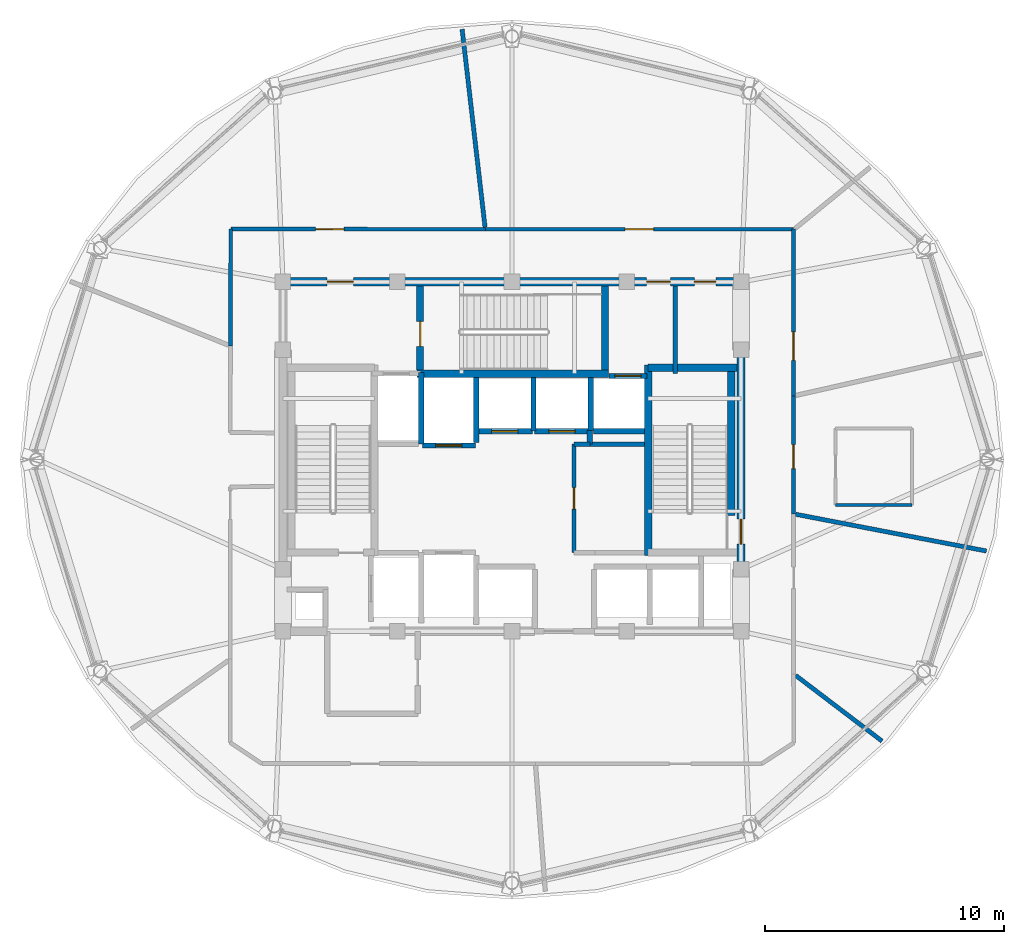
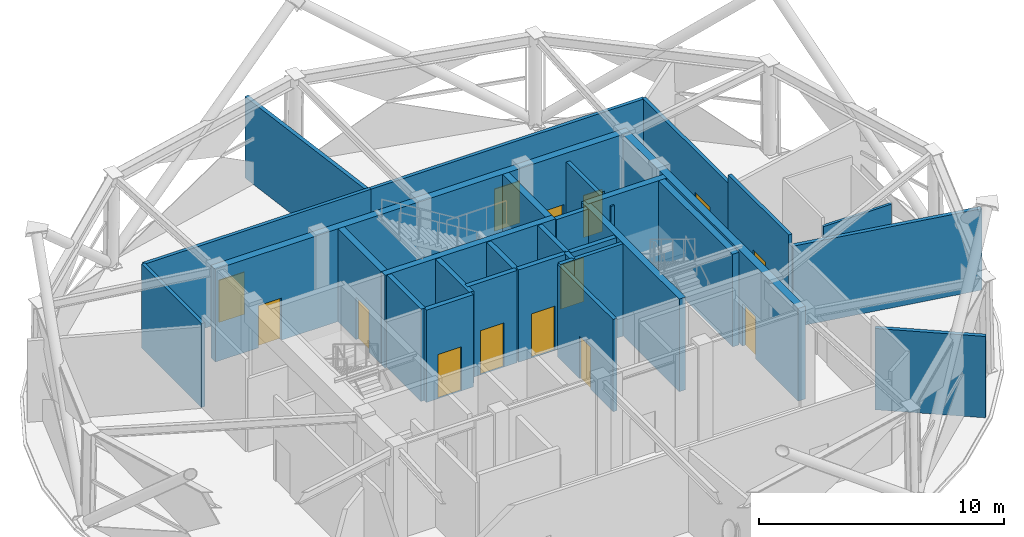
# One storey, part 9 of 14: 31 walls, 14 doors, 14 openings.
"""IFC4 building model written with IfcOpenShell, lengths in metres."""

from ifc_helpers import new_model, si_unit, direction, frame, frame_2d, origin, place, context, subcontext, project, spatial, rectangle, extrude, material, layer, layer_set, type_object, element, fill, save


model = new_model("IFC4")

# Units and contexts
model_context = context("Model", 3, precision=1e-05, world=origin(), true_north=direction((0.0, 1.0)))
body_context = subcontext(model_context, "Body", "Model", "MODEL_VIEW")
ifc_project = project(units=[si_unit("LENGTHUNIT", "METRE"), si_unit("AREAUNIT", "SQUARE_METRE"), si_unit("VOLUMEUNIT", "CUBIC_METRE"), si_unit("PLANEANGLEUNIT", "RADIAN"), si_unit("MASSUNIT", "GRAM", prefix="KILO")], contexts=[model_context])

# Site, building, storey
site_placement = place(None, origin())
site = spatial("IfcSite", under=ifc_project, at=site_placement, CompositionType="ELEMENT")
building_placement = place(site_placement, origin())
building = spatial("IfcBuilding", under=site, at=building_placement, Name="Vantalir Tower", CompositionType="ELEMENT")
storey_placement = place(building_placement, frame((0.0, 0.0, 259.050048828125)))
storey = spatial("IfcBuildingStorey", under=building, at=storey_placement, Name="L65", CompositionType="ELEMENT", Elevation=259.050048828125)

# Wall
ifc_material_1 = material(Name="Moisture-resistant en-suite partition", Category="gypsum")
ifc_layer_1 = layer(ifc_material_1, 0.125)
ifc_layer_set_1 = layer_set([ifc_layer_1], Name="Moisture-resistant en-suite partition")
wall_type_1 = type_object("IfcWallType", Name="WL-BATH-125", PredefinedType="PARTITIONING", material=ifc_layer_set_1)
wall_1_placement = place(storey_placement, frame((45.05908203125, 23.10595703125, 0.0), z_axis=(0.0, 0.0, 1.0), x_axis=(1.0, 0.0, 0.0)))
element("IfcWall", 1, at=wall_1_placement, inside=storey, type_object=wall_type_1, Name="L65 Accessible WC South Wall", PredefinedType="PARTITIONING", context=body_context, shape_type="SweptSolid", body=[
    extrude(rectangle(XDim=3.199951171875, YDim=0.125, at=frame_2d((1.60009765625, 0.0))), origin(), (0.0, 0.0, 1.0), 4.181884765625),
])

# Wall, openings, doors
ifc_material_2 = material(Name="Concrete C50/60", Category="concrete")
ifc_layer_2 = layer(ifc_material_2, 0.35009765625)
ifc_layer_set_2 = layer_set([ifc_layer_2], Name="Concrete C50/60")
wall_type_2 = type_object("IfcWallType", Name="WL-CORE-350", PredefinedType="SHEAR", material=ifc_layer_set_2)
wall_2_placement = place(storey_placement, frame((21.72509765625, 32.449951171875, 0.0), z_axis=(0.0, 0.0, 1.0), x_axis=(1.0, 0.0, 0.0)))
wall_2 = element("IfcWall", 2, at=wall_2_placement, inside=storey, type_object=wall_type_2, Name="L65 Core Shear Wall North", PredefinedType="SHEAR", context=body_context, shape_type="SweptSolid", body=[
    extrude(rectangle(XDim=19.5498046875, YDim=0.35009765625, at=frame_2d((9.77490234375, 0.0))), origin(), (0.0, 0.0, 1.0), 4.619873046875),
])
opening_1_placement = place(wall_2_placement, frame((2.02490234375, 0.0, 0.0)))
opening_1 = element("IfcOpeningElement", 3, at=opening_1_placement, cuts=wall_2, Name="Opening D-FFL", PredefinedType="OPENING", context=body_context, shape_type="SweptSolid", body=[
    extrude(rectangle(XDim=1.10009765625, YDim=2.10009765625, at=frame_2d((0.550048828125, 1.050048828125))), frame((0.0, 0.18505859375, 0.0), z_axis=(0.0, -1.0, 0.0), x_axis=(1.0, 0.0, 0.0)), (0.0, 0.0, 1.0), 0.3701171875),
])
opening_2_placement = place(wall_2_placement, frame((15.4150390625, 0.0, 0.0)))
opening_2 = element("IfcOpeningElement", 4, at=opening_2_placement, cuts=wall_2, Name="Opening D-GUEST", PredefinedType="OPENING", context=body_context, shape_type="SweptSolid", body=[
    extrude(rectangle(XDim=1.0, YDim=2.10009765625, at=frame_2d((0.5, 1.050048828125))), frame((0.0, 0.18505859375, 0.0), z_axis=(0.0, -1.0, 0.0), x_axis=(1.0, 0.0, 0.0)), (0.0, 0.0, 1.0), 0.3701171875),
])
opening_3_placement = place(wall_2_placement, frame((17.425048828125, 0.0, 0.0)))
opening_3 = element("IfcOpeningElement", 5, at=opening_3_placement, cuts=wall_2, Name="Opening D-CR", PredefinedType="OPENING", context=body_context, shape_type="SweptSolid", body=[
    extrude(rectangle(XDim=0.89990234375, YDim=2.10009765625, at=frame_2d((0.449951171875, 1.050048828125))), frame((0.0, 0.18505859375, 0.0), z_axis=(0.0, -1.0, 0.0), x_axis=(1.0, 0.0, 0.0)), (0.0, 0.0, 1.0), 0.3701171875),
])
ifc_material_3 = material(Name="Fire-rated steel core service door", Category="steel")
door_type_1 = type_object("IfcDoorType", Name="DR-CORE-SERV-900", OperationType="NOTDEFINED", PredefinedType="DOOR", material=ifc_material_3)
door_1_placement = place(opening_3_placement, frame((0.89990234375, 0.0, 0.0), z_axis=(0.0, 0.0, 1.0), x_axis=(-1.0, 0.0, 0.0)))
door_1 = element("IfcDoor", 6, at=door_1_placement, inside=storey, type_object=door_type_1, Name="L65 Housekeeping and Linen Room Door", OperationType="SINGLE_SWING_RIGHT", OverallHeight=2.10009765625, OverallWidth=0.89990234375, PredefinedType="DOOR", context=body_context, shape_type="SweptSolid", body=[
    extrude(rectangle(XDim=0.89990234375, YDim=2.10009765625, at=frame_2d((0.449951171875, 1.050048828125))), frame((0.0, 0.02490234375, 0.0), z_axis=(0.0, -1.0, 0.0), x_axis=(1.0, 0.0, 0.0)), (0.0, 0.0, 1.0), 0.050048828125),
])
fill(opening_3, door_1)
ifc_material_4 = material(Name="Fire-rated acoustic steel door", Category="steel")
door_type_2 = type_object("IfcDoorType", Name="DR-FIRE-LOBBY-1100", OperationType="NOTDEFINED", PredefinedType="DOOR", material=ifc_material_4)
door_2_placement = place(opening_1_placement, frame((1.10009765625, 0.0, 0.0), z_axis=(0.0, 0.0, 1.0), x_axis=(-1.0, 0.0, 0.0)))
door_2 = element("IfcDoor", 7, at=door_2_placement, inside=storey, type_object=door_type_2, Name="L65 Firefighting Lobby East Access Door", OperationType="SINGLE_SWING_LEFT", OverallHeight=2.10009765625, OverallWidth=1.10009765625, PredefinedType="DOOR", context=body_context, shape_type="SweptSolid", body=[
    extrude(rectangle(XDim=1.10009765625, YDim=2.10009765625, at=frame_2d((0.550048828125, 1.050048828125))), frame((0.0, 0.02490234375, 0.0), z_axis=(0.0, -1.0, 0.0), x_axis=(1.0, 0.0, 0.0)), (0.0, 0.0, 1.0), 0.050048828125),
])
fill(opening_1, door_2)
ifc_material_5 = material(Name="Solid-core teak veneer acoustic fire door", Category="wood")
door_type_3 = type_object("IfcDoorType", Name="DR-GUEST-ENTRY-1000", OperationType="NOTDEFINED", PredefinedType="DOOR", material=ifc_material_5)
door_3_placement = place(opening_2_placement, frame((1.0, 0.0, 0.0), z_axis=(0.0, 0.0, 1.0), x_axis=(-1.0, 0.0, 0.0)))
door_3 = element("IfcDoor", 8, at=door_3_placement, inside=storey, type_object=door_type_3, Name="L65 High-Rise Lift Lobby Door", OperationType="SINGLE_SWING_LEFT", OverallHeight=2.10009765625, OverallWidth=1.0, PredefinedType="DOOR", context=body_context, shape_type="SweptSolid", body=[
    extrude(rectangle(XDim=1.0, YDim=2.10009765625, at=frame_2d((0.5, 1.050048828125))), frame((0.0, 0.02490234375, 0.0), z_axis=(0.0, -1.0, 0.0), x_axis=(1.0, 0.0, 0.0)), (0.0, 0.0, 1.0), 0.050048828125),
])
fill(opening_2, door_3)

# Wall, opening, door
wall_3_placement = place(storey_placement, frame((41.10009765625, 17.97509765625, 0.0), z_axis=(0.0, 0.0, 1.0), x_axis=(0.0, 1.0, 0.0)))
wall_3 = element("IfcWall", 9, at=wall_3_placement, inside=storey, type_object=wall_type_2, Name="L65 Core Shear Wall East", PredefinedType="SHEAR", context=body_context, shape_type="SweptSolid", body=[
    extrude(rectangle(XDim=14.2998046875, YDim=0.35009765625, at=frame_2d((7.14990234375, 0.0))), origin(), (0.0, 0.0, 1.0), 4.619873046875),
])
opening_4_placement = place(wall_3_placement, frame((3.485107421875, 0.0, 0.0)))
opening_4 = element("IfcOpeningElement", 10, at=opening_4_placement, cuts=wall_3, Name="Opening D-ST", PredefinedType="OPENING", context=body_context, shape_type="SweptSolid", body=[
    extrude(rectangle(XDim=1.050048828125, YDim=2.10009765625, at=frame_2d((0.52490234375, 1.050048828125))), frame((0.0, 0.18505859375, 0.0), z_axis=(0.0, -1.0, 0.0), x_axis=(1.0, 0.0, 0.0)), (0.0, 0.0, 1.0), 0.3701171875),
])
ifc_material_6 = material(Name="Fire-rated steel door leaf", Category="steel")
door_type_4 = type_object("IfcDoorType", Name="DR-FIRE-STAIR-1050", OperationType="NOTDEFINED", PredefinedType="DOOR", material=ifc_material_6)
door_4_placement = place(opening_4_placement, origin())
door_4 = element("IfcDoor", 11, at=door_4_placement, inside=storey, type_object=door_type_4, Name="L65 Exit Stair ST2 Fire Door", OperationType="SINGLE_SWING_LEFT", OverallHeight=2.10009765625, OverallWidth=1.050048828125, PredefinedType="DOOR", context=body_context, shape_type="SweptSolid", body=[
    extrude(rectangle(XDim=1.050048828125, YDim=2.10009765625, at=frame_2d((0.52490234375, 1.050048828125))), frame((0.0, 0.02490234375, 0.0), z_axis=(0.0, -1.0, 0.0), x_axis=(1.0, 0.0, 0.0)), (0.0, 0.0, 1.0), 0.050048828125),
])
fill(opening_4, door_4)

# Wall
ifc_material_7 = material(Name="Fire-rated hotel corridor acoustic partition", Category="gypsum")
ifc_layer_3 = layer(ifc_material_7, 0.159912109375)
ifc_layer_set_3 = layer_set([ifc_layer_3], Name="Fire-rated hotel corridor acoustic partition")
wall_type_3 = type_object("IfcWallType", Name="WL-CORR-160", PredefinedType="PARTITIONING", material=ifc_layer_set_3)
wall_4_placement = place(storey_placement, frame((19.696044921875, 29.763916015625, 0.0), z_axis=(0.0, 0.0, 1.0), x_axis=(0.002841039225, 0.99999596424, 0.0)))
element("IfcWall", 12, at=wall_4_placement, inside=storey, type_object=wall_type_3, Name="L65 Corridor Partition 03", PredefinedType="PARTITIONING", context=body_context, shape_type="SweptSolid", body=[
    extrude(rectangle(XDim=4.898193359375, YDim=0.159912109375, at=frame_2d((2.44921875, 0.0))), origin(), (0.0, 0.0, 1.0), 4.181884765625),
])

# Wall, opening, door
wall_5_placement = place(storey_placement, frame((19.7099609375, 34.662109375, 0.0), z_axis=(0.0, 0.0, 1.0), x_axis=(0.999999978796, -0.000205930803, 0.0)))
wall_5 = element("IfcWall", 13, at=wall_5_placement, inside=storey, type_object=wall_type_3, Name="L65 Corridor Partition 04", PredefinedType="PARTITIONING", context=body_context, shape_type="SweptSolid", body=[
    extrude(rectangle(XDim=10.669921875, YDim=0.159912109375, at=frame_2d((5.3349609375, 0.0))), origin(), (0.0, 0.0, 1.0), 4.181884765625),
])
opening_5_placement = place(wall_5_placement, frame((3.553955078125, 0.0, 0.0)))
opening_5 = element("IfcOpeningElement", 14, at=opening_5_placement, cuts=wall_5, Name="Opening D-STE", PredefinedType="OPENING", context=body_context, shape_type="SweptSolid", body=[
    extrude(rectangle(XDim=1.199951171875, YDim=2.10009765625, at=frame_2d((0.60009765625, 1.050048828125))), frame((0.0, 0.08984375, 0.0), z_axis=(0.0, -1.0, 0.0), x_axis=(1.0, 0.0, 0.0)), (0.0, 0.0, 1.0), 0.179931640625),
])
ifc_material_8 = material(Name="Solid-core teak veneer suite entrance door", Category="wood")
door_type_5 = type_object("IfcDoorType", Name="DR-SUITE-ENTRY-1200", OperationType="NOTDEFINED", PredefinedType="DOOR", material=ifc_material_8)
door_5_placement = place(opening_5_placement, origin())
door_5 = element("IfcDoor", 15, at=door_5_placement, inside=storey, type_object=door_type_5, Name="L65 Commercial Sky Pantry Kitchen Door", OperationType="SINGLE_SWING_LEFT", OverallHeight=2.10009765625, OverallWidth=1.199951171875, PredefinedType="DOOR", context=body_context, shape_type="SweptSolid", body=[
    extrude(rectangle(XDim=1.199951171875, YDim=2.10009765625, at=frame_2d((0.60009765625, 1.050048828125))), frame((0.0, 0.02490234375, 0.0), z_axis=(0.0, -1.0, 0.0), x_axis=(1.0, 0.0, 0.0)), (0.0, 0.0, 1.0), 0.050048828125),
])
fill(opening_5, door_5)

wall_6_placement = place(storey_placement, frame((30.3798828125, 34.659912109375, 0.0), z_axis=(0.0, 0.0, 1.0), x_axis=(0.999999988569, -0.000151203007, 0.0)))
wall_6 = element("IfcWall", 16, at=wall_6_placement, inside=storey, type_object=wall_type_3, Name="L65 Corridor Partition 05", PredefinedType="PARTITIONING", context=body_context, shape_type="SweptSolid", body=[
    extrude(rectangle(XDim=12.917236328125, YDim=0.159912109375, at=frame_2d((6.45849609375, 0.0))), origin(), (0.0, 0.0, 1.0), 4.181884765625),
])
opening_6_placement = place(wall_6_placement, frame((5.85888671875, 0.0, 0.0)))
opening_6 = element("IfcOpeningElement", 17, at=opening_6_placement, cuts=wall_6, Name="Opening D-STE", PredefinedType="OPENING", context=body_context, shape_type="SweptSolid", body=[
    extrude(rectangle(XDim=1.199951171875, YDim=2.10009765625, at=frame_2d((0.60009765625, 1.050048828125))), frame((0.0, 0.08984375, 0.0), z_axis=(0.0, -1.0, 0.0), x_axis=(1.0, 0.0, 0.0)), (0.0, 0.0, 1.0), 0.179931640625),
])
door_6_placement = place(opening_6_placement, origin())
door_6 = element("IfcDoor", 18, at=door_6_placement, inside=storey, type_object=door_type_5, Name="L65 Sky Club Lounge Door", OperationType="SINGLE_SWING_RIGHT", OverallHeight=2.10009765625, OverallWidth=1.199951171875, PredefinedType="DOOR", context=body_context, shape_type="SweptSolid", body=[
    extrude(rectangle(XDim=1.199951171875, YDim=2.10009765625, at=frame_2d((0.60009765625, 1.050048828125))), frame((0.0, 0.02490234375, 0.0), z_axis=(0.0, -1.0, 0.0), x_axis=(1.0, 0.0, 0.0)), (0.0, 0.0, 1.0), 0.050048828125),
])
fill(opening_6, door_6)

wall_7_placement = place(storey_placement, frame((43.297119140625, 34.657958984375, 0.0), z_axis=(0.0, 0.0, 1.0), x_axis=(0.000558756679, -0.999999843895, 0.0)))
wall_7 = element("IfcWall", 19, at=wall_7_placement, inside=storey, type_object=wall_type_3, Name="L65 Corridor Partition 06", PredefinedType="PARTITIONING", context=body_context, shape_type="SweptSolid", body=[
    extrude(rectangle(XDim=6.990966796875, YDim=0.159912109375, at=frame_2d((3.49560546875, 0.0))), origin(), (0.0, 0.0, 1.0), 4.181884765625),
])
opening_7_placement = place(wall_7_placement, frame((4.300048828125, 0.0, 0.0)))
opening_7 = element("IfcOpeningElement", 20, at=opening_7_placement, cuts=wall_7, Name="Opening D-STE", PredefinedType="OPENING", context=body_context, shape_type="SweptSolid", body=[
    extrude(rectangle(XDim=1.199951171875, YDim=2.10009765625, at=frame_2d((0.60009765625, 1.050048828125))), frame((0.0, 0.08984375, 0.0), z_axis=(0.0, -1.0, 0.0), x_axis=(1.0, 0.0, 0.0)), (0.0, 0.0, 1.0), 0.179931640625),
])
door_7_placement = place(opening_7_placement, origin())
door_7 = element("IfcDoor", 21, at=door_7_placement, inside=storey, type_object=door_type_5, Name="L65 Sky Lobby Reception Door", OperationType="SINGLE_SWING_LEFT", OverallHeight=2.10009765625, OverallWidth=1.199951171875, PredefinedType="DOOR", context=body_context, shape_type="SweptSolid", body=[
    extrude(rectangle(XDim=1.199951171875, YDim=2.10009765625, at=frame_2d((0.60009765625, 1.050048828125))), frame((0.0, 0.02490234375, 0.0), z_axis=(0.0, -1.0, 0.0), x_axis=(1.0, 0.0, 0.0)), (0.0, 0.0, 1.0), 0.050048828125),
])
fill(opening_7, door_7)

wall_8_placement = place(storey_placement, frame((43.301025390625, 27.6669921875, 0.0), z_axis=(0.0, 0.0, 1.0), x_axis=(0.000592943863, -0.999999824209, 0.0)))
wall_8 = element("IfcWall", 22, at=wall_8_placement, inside=storey, type_object=wall_type_3, Name="L65 Corridor Partition 07", PredefinedType="PARTITIONING", context=body_context, shape_type="SweptSolid", body=[
    extrude(rectangle(XDim=4.94091796875, YDim=0.159912109375, at=frame_2d((2.470458984375, 0.0))), origin(), (0.0, 0.0, 1.0), 4.599853515625),
])
opening_8_placement = place(wall_8_placement, frame((2.04296875, 0.0, 0.0)))
opening_8 = element("IfcOpeningElement", 23, at=opening_8_placement, cuts=wall_8, Name="Opening D-GUEST", PredefinedType="OPENING", context=body_context, shape_type="SweptSolid", body=[
    extrude(rectangle(XDim=1.0, YDim=2.10009765625, at=frame_2d((0.5, 1.050048828125))), frame((0.0, 0.08984375, 0.0), z_axis=(0.0, -1.0, 0.0), x_axis=(1.0, 0.0, 0.0)), (0.0, 0.0, 1.0), 0.179931640625),
])
door_8_placement = place(opening_8_placement, origin())
door_8 = element("IfcDoor", 24, at=door_8_placement, inside=storey, type_object=door_type_3, Name="L65 Sanitary Vestibule Door", OperationType="SINGLE_SWING_RIGHT", OverallHeight=2.10009765625, OverallWidth=1.0, PredefinedType="DOOR", context=body_context, shape_type="SweptSolid", body=[
    extrude(rectangle(XDim=1.0, YDim=2.10009765625, at=frame_2d((0.5, 1.050048828125))), frame((0.0, 0.02490234375, 0.0), z_axis=(0.0, -1.0, 0.0), x_axis=(1.0, 0.0, 0.0)), (0.0, 0.0, 1.0), 0.050048828125),
])
fill(opening_8, door_8)

# Walls
ifc_material_9 = material(Name="Concrete blockwork with fireboard lining", Category="masonry")
ifc_layer_4 = layer(ifc_material_9, 0.219970703125)
ifc_layer_set_4 = layer_set([ifc_layer_4], Name="Concrete blockwork with fireboard lining")
wall_type_4 = type_object("IfcWallType", Name="WL-FFL-220", PredefinedType="PARTITIONING", material=ifc_layer_set_4)
wall_9_placement = place(storey_placement, frame((30.0, 25.7099609375, 0.0), z_axis=(0.0, 0.0, 1.0), x_axis=(0.0, 1.0, 0.0)))
element("IfcWall", 25, at=wall_9_placement, inside=storey, type_object=wall_type_4, Name="L65 Service Lift SV2 East Shaft Wall", PredefinedType="PARTITIONING", context=body_context, shape_type="SweptSolid", body=[
    extrude(rectangle(XDim=2.72998046875, YDim=0.219970703125, at=frame_2d((1.364990234375, 0.0))), origin(), (0.0, 0.0, 1.0), 4.594970703125),
])
wall_10_placement = place(storey_placement, frame((32.39990234375, 26.199951171875, 0.0), z_axis=(0.0, 0.0, 1.0), x_axis=(0.0, 1.0, 0.0)))
element("IfcWall", 26, at=wall_10_placement, inside=storey, type_object=wall_type_4, Name="L65 High-Rise Lift PL-H1/H2 Shaft Divider", PredefinedType="PARTITIONING", context=body_context, shape_type="SweptSolid", body=[
    extrude(rectangle(XDim=2.239990234375, YDim=0.219970703125, at=frame_2d((1.1201171875, 0.0))), origin(), (0.0, 0.0, 1.0), 4.594970703125),
])
wall_11_placement = place(storey_placement, frame((34.800048828125, 26.22998046875, 0.0), z_axis=(0.0, 0.0, 1.0), x_axis=(0.0, 1.0, 0.0)))
element("IfcWall", 27, at=wall_11_placement, inside=storey, type_object=wall_type_4, Name="L65 High-Rise Lift PL-H2/H3 Shaft Divider", PredefinedType="PARTITIONING", context=body_context, shape_type="SweptSolid", body=[
    extrude(rectangle(XDim=2.2099609375, YDim=0.219970703125, at=frame_2d((1.10498046875, 0.0))), origin(), (0.0, 0.0, 1.0), 4.594970703125),
])
wall_12_placement = place(storey_placement, frame((34.909912109375, 26.18994140625, 0.0), z_axis=(0.0, 0.0, 1.0), x_axis=(1.0, 0.0, 0.0)))
element("IfcWall", 28, at=wall_12_placement, inside=storey, type_object=wall_type_4, Name="L65 High-Rise Lift PL-H3 Rear Shaft Wall", PredefinedType="PARTITIONING", context=body_context, shape_type="SweptSolid", body=[
    extrude(rectangle(XDim=2.14013671875, YDim=0.219970703125, at=frame_2d((1.070068359375, 0.0))), origin(), (0.0, 0.0, 1.0), 4.594970703125),
])

# Wall, opening, door
wall_13_placement = place(storey_placement, frame((27.739990234375, 25.590087890625, 0.0), z_axis=(0.0, 0.0, 1.0), x_axis=(1.0, 0.0, 0.0)))
wall_13 = element("IfcWall", 29, at=wall_13_placement, inside=storey, type_object=wall_type_4, Name="L65 Lift SV2 Shaft Front Wall", PredefinedType="PARTITIONING", context=body_context, shape_type="SweptSolid", body=[
    extrude(rectangle(XDim=2.219970703125, YDim=0.219970703125, at=frame_2d((1.10986328125, 0.0))), origin(), (0.0, 0.0, 1.0), 4.599853515625),
])
opening_9_placement = place(wall_13_placement, frame((0.56005859375, 0.0, 0.0)))
opening_9 = element("IfcOpeningElement", 30, at=opening_9_placement, cuts=wall_13, Name="Opening LD-SV2", PredefinedType="OPENING", context=body_context, shape_type="SweptSolid", body=[
    extrude(rectangle(XDim=1.10009765625, YDim=2.199951171875, at=frame_2d((0.550048828125, 1.10009765625))), frame((0.0, 0.119873046875, 0.0), z_axis=(0.0, -1.0, 0.0), x_axis=(1.0, 0.0, 0.0)), (0.0, 0.0, 1.0), 0.239990234375),
])
ifc_material_10 = material(Name="Brushed stainless-steel sliding lift landing door", Category="steel")
door_type_6 = type_object("IfcDoorType", Name="DR-LIFT-LANDING-1100", OperationType="DOUBLE_DOOR_SLIDING", PredefinedType="DOOR", material=ifc_material_10)
door_9_placement = place(opening_9_placement, frame((1.10009765625, 0.0, 0.0), z_axis=(0.0, 0.0, 1.0), x_axis=(-1.0, 0.0, 0.0)))
door_9 = element("IfcDoor", 31, at=door_9_placement, inside=storey, type_object=door_type_6, Name="L65 Lift Landing Door SV2", OperationType="DOUBLE_DOOR_SLIDING", OverallHeight=2.199951171875, OverallWidth=1.10009765625, PredefinedType="DOOR", context=body_context, shape_type="SweptSolid", body=[
    extrude(rectangle(XDim=1.10009765625, YDim=2.199951171875, at=frame_2d((0.550048828125, 1.10009765625))), frame((0.0, 0.02490234375, 0.0), z_axis=(0.0, -1.0, 0.0), x_axis=(1.0, 0.0, 0.0)), (0.0, 0.0, 1.0), 0.050048828125),
])
fill(opening_9, door_9)

wall_14_placement = place(storey_placement, frame((30.0400390625, 26.18994140625, 0.0), z_axis=(0.0, 0.0, 1.0), x_axis=(1.0, 0.0, 0.0)))
wall_14 = element("IfcWall", 32, at=wall_14_placement, inside=storey, type_object=wall_type_4, Name="L65 Lift PL-H1 Shaft Front Wall", PredefinedType="PARTITIONING", context=body_context, shape_type="SweptSolid", body=[
    extrude(rectangle(XDim=2.320068359375, YDim=0.219970703125, at=frame_2d((1.16015625, 0.0))), origin(), (0.0, 0.0, 1.0), 4.599853515625),
])
opening_10_placement = place(wall_14_placement, frame((0.610107421875, 0.0, 0.0)))
opening_10 = element("IfcOpeningElement", 33, at=opening_10_placement, cuts=wall_14, Name="Opening LD-PL-H1", PredefinedType="OPENING", context=body_context, shape_type="SweptSolid", body=[
    extrude(rectangle(XDim=1.10009765625, YDim=2.199951171875, at=frame_2d((0.550048828125, 1.10009765625))), frame((0.0, 0.119873046875, 0.0), z_axis=(0.0, -1.0, 0.0), x_axis=(1.0, 0.0, 0.0)), (0.0, 0.0, 1.0), 0.239990234375),
])
door_10_placement = place(opening_10_placement, frame((1.10009765625, 0.0, 0.0), z_axis=(0.0, 0.0, 1.0), x_axis=(-1.0, 0.0, 0.0)))
door_10 = element("IfcDoor", 34, at=door_10_placement, inside=storey, type_object=door_type_6, Name="L65 Lift Landing Door PL-H1", OperationType="DOUBLE_DOOR_SLIDING", OverallHeight=2.199951171875, OverallWidth=1.10009765625, PredefinedType="DOOR", context=body_context, shape_type="SweptSolid", body=[
    extrude(rectangle(XDim=1.10009765625, YDim=2.199951171875, at=frame_2d((0.550048828125, 1.10009765625))), frame((0.0, 0.02490234375, 0.0), z_axis=(0.0, -1.0, 0.0), x_axis=(1.0, 0.0, 0.0)), (0.0, 0.0, 1.0), 0.050048828125),
])
fill(opening_10, door_10)

wall_15_placement = place(storey_placement, frame((32.43994140625, 26.18994140625, 0.0), z_axis=(0.0, 0.0, 1.0), x_axis=(1.0, 0.0, 0.0)))
wall_15 = element("IfcWall", 35, at=wall_15_placement, inside=storey, type_object=wall_type_4, Name="L65 Lift PL-H2 Shaft Front Wall", PredefinedType="PARTITIONING", context=body_context, shape_type="SweptSolid", body=[
    extrude(rectangle(XDim=2.320068359375, YDim=0.219970703125, at=frame_2d((1.16015625, 0.0))), origin(), (0.0, 0.0, 1.0), 4.599853515625),
])
opening_11_placement = place(wall_15_placement, frame((0.610107421875, 0.0, 0.0)))
opening_11 = element("IfcOpeningElement", 36, at=opening_11_placement, cuts=wall_15, Name="Opening LD-PL-H2", PredefinedType="OPENING", context=body_context, shape_type="SweptSolid", body=[
    extrude(rectangle(XDim=1.10009765625, YDim=2.199951171875, at=frame_2d((0.550048828125, 1.10009765625))), frame((0.0, 0.119873046875, 0.0), z_axis=(0.0, -1.0, 0.0), x_axis=(1.0, 0.0, 0.0)), (0.0, 0.0, 1.0), 0.239990234375),
])
door_11_placement = place(opening_11_placement, frame((1.10009765625, 0.0, 0.0), z_axis=(0.0, 0.0, 1.0), x_axis=(-1.0, 0.0, 0.0)))
door_11 = element("IfcDoor", 37, at=door_11_placement, inside=storey, type_object=door_type_6, Name="L65 Lift Landing Door PL-H2", OperationType="DOUBLE_DOOR_SLIDING", OverallHeight=2.199951171875, OverallWidth=1.10009765625, PredefinedType="DOOR", context=body_context, shape_type="SweptSolid", body=[
    extrude(rectangle(XDim=1.10009765625, YDim=2.199951171875, at=frame_2d((0.550048828125, 1.10009765625))), frame((0.0, 0.02490234375, 0.0), z_axis=(0.0, -1.0, 0.0), x_axis=(1.0, 0.0, 0.0)), (0.0, 0.0, 1.0), 0.050048828125),
])
fill(opening_11, door_11)

wall_16_placement = place(storey_placement, frame((35.56005859375, 28.510009765625, 0.0), z_axis=(0.0, 0.0, 1.0), x_axis=(1.0, 0.0, 0.0)))
wall_16 = element("IfcWall", 38, at=wall_16_placement, inside=storey, type_object=wall_type_4, Name="L65 Lift PL-H3 Shaft Front Wall", PredefinedType="PARTITIONING", context=body_context, shape_type="SweptSolid", body=[
    extrude(rectangle(XDim=1.599853515625, YDim=0.219970703125, at=frame_2d((0.7998046875, 0.0))), origin(), (0.0, 0.0, 1.0), 4.599853515625),
])
opening_12_placement = place(wall_16_placement, frame((0.25, 0.0, 0.0)))
opening_12 = element("IfcOpeningElement", 39, at=opening_12_placement, cuts=wall_16, Name="Opening LD-PL-H3", PredefinedType="OPENING", context=body_context, shape_type="SweptSolid", body=[
    extrude(rectangle(XDim=1.10009765625, YDim=2.199951171875, at=frame_2d((0.550048828125, 1.10009765625))), frame((0.0, 0.119873046875, 0.0), z_axis=(0.0, -1.0, 0.0), x_axis=(1.0, 0.0, 0.0)), (0.0, 0.0, 1.0), 0.239990234375),
])
door_12_placement = place(opening_12_placement, origin())
door_12 = element("IfcDoor", 40, at=door_12_placement, inside=storey, type_object=door_type_6, Name="L65 Lift Landing Door PL-H3", OperationType="DOUBLE_DOOR_SLIDING", OverallHeight=2.199951171875, OverallWidth=1.10009765625, PredefinedType="DOOR", context=body_context, shape_type="SweptSolid", body=[
    extrude(rectangle(XDim=1.10009765625, YDim=2.199951171875, at=frame_2d((0.550048828125, 1.10009765625))), frame((0.0, 0.02490234375, 0.0), z_axis=(0.0, -1.0, 0.0), x_axis=(1.0, 0.0, 0.0)), (0.0, 0.0, 1.0), 0.050048828125),
])
fill(opening_12, door_12)

# Walls
wall_17_placement = place(storey_placement, frame((27.699951171875, 25.64990234375, 0.0), z_axis=(0.0, 0.0, 1.0), x_axis=(0.0, 1.0, 0.0)))
element("IfcWall", 41, at=wall_17_placement, inside=storey, type_object=wall_type_4, Name="L65 Fire Lift FL2 Dividing Wall", PredefinedType="PARTITIONING", context=body_context, shape_type="SweptSolid", body=[
    extrude(rectangle(XDim=3.0, YDim=0.219970703125, at=frame_2d((1.5, 0.0))), origin(), (0.0, 0.0, 1.0), 4.599853515625),
])
wall_18_placement = place(storey_placement, frame((34.760009765625, 25.64990234375, 0.0), z_axis=(0.0, 0.0, 1.0), x_axis=(0.0, 1.0, 0.0)))
element("IfcWall", 42, at=wall_18_placement, inside=storey, type_object=wall_type_4, Name="L65 High-Rise Shaft Shoulder Wall", PredefinedType="PARTITIONING", context=body_context, shape_type="SweptSolid", body=[
    extrude(rectangle(XDim=0.570068359375, YDim=0.219970703125, at=frame_2d((0.28515625, 0.0))), origin(), (0.0, 0.0, 1.0), 4.599853515625),
])
ifc_material_11 = material(Name="Twin-stud acoustic fire-rated gypsum partition", Category="gypsum")
ifc_layer_5 = layer(ifc_material_11, 0.179931640625)
ifc_layer_set_5 = layer_set([ifc_layer_5], Name="Twin-stud acoustic fire-rated gypsum partition")
wall_type_5 = type_object("IfcWallType", Name="WL-GUEST-180", PredefinedType="PARTITIONING", material=ifc_layer_set_5)
wall_19_placement = place(storey_placement, frame((34.719970703125, 25.64990234375, 0.0), z_axis=(0.0, 0.0, 1.0), x_axis=(1.0, 0.0, 0.0)))
element("IfcWall", 43, at=wall_19_placement, inside=storey, type_object=wall_type_5, Name="L65 Freed East Core North Wall", PredefinedType="PARTITIONING", context=body_context, shape_type="SweptSolid", body=[
    extrude(rectangle(XDim=2.340087890625, YDim=0.179931640625, at=frame_2d((1.169921875, 0.0))), origin(), (0.0, 0.0, 1.0), 4.599853515625),
])
wall_20_placement = place(storey_placement, frame((34.10009765625, 25.64990234375, 0.0), z_axis=(0.0, 0.0, 1.0), x_axis=(1.0, 0.0, 0.0)))
element("IfcWall", 44, at=wall_20_placement, inside=storey, type_object=wall_type_5, Name="L65 East Core Room North Return", PredefinedType="PARTITIONING", context=body_context, shape_type="SweptSolid", body=[
    extrude(rectangle(XDim=0.659912109375, YDim=0.179931640625, at=frame_2d((0.330078125, 0.0))), origin(), (0.0, 0.0, 1.0), 4.599853515625),
])

# Wall, opening, door
wall_21_placement = place(storey_placement, frame((34.10009765625, 21.10009765625, 0.0), z_axis=(0.0, 0.0, 1.0), x_axis=(0.0, 1.0, 0.0)))
wall_21 = element("IfcWall", 45, at=wall_21_placement, inside=storey, type_object=wall_type_5, Name="L65 East Core Room West Wall", PredefinedType="PARTITIONING", context=body_context, shape_type="SweptSolid", body=[
    extrude(rectangle(XDim=4.5498046875, YDim=0.179931640625, at=frame_2d((2.27490234375, 0.0))), origin(), (0.0, 0.0, 1.0), 4.599853515625),
])
opening_13_placement = place(wall_21_placement, frame((1.824951171875, 0.0, 0.0)))
opening_13 = element("IfcOpeningElement", 46, at=opening_13_placement, cuts=wall_21, Name="Opening D-CR", PredefinedType="OPENING", context=body_context, shape_type="SweptSolid", body=[
    extrude(rectangle(XDim=0.89990234375, YDim=2.10009765625, at=frame_2d((0.449951171875, 1.050048828125))), frame((0.0, 0.099853515625, 0.0), z_axis=(0.0, -1.0, 0.0), x_axis=(1.0, 0.0, 0.0)), (0.0, 0.0, 1.0), 0.199951171875),
])
door_13_placement = place(opening_13_placement, frame((0.89990234375, 0.0, 0.0), z_axis=(0.0, 0.0, 1.0), x_axis=(-1.0, 0.0, 0.0)))
door_13 = element("IfcDoor", 47, at=door_13_placement, inside=storey, type_object=door_type_1, Name="L65 Core Linen Store Door", OperationType="SINGLE_SWING_LEFT", OverallHeight=2.10009765625, OverallWidth=0.89990234375, PredefinedType="DOOR", context=body_context, shape_type="SweptSolid", body=[
    extrude(rectangle(XDim=0.89990234375, YDim=2.10009765625, at=frame_2d((0.449951171875, 1.050048828125))), frame((0.0, 0.02490234375, 0.0), z_axis=(0.0, -1.0, 0.0), x_axis=(1.0, 0.0, 0.0)), (0.0, 0.0, 1.0), 0.050048828125),
])
fill(opening_13, door_13)

# Walls
wall_22_placement = place(storey_placement, frame((38.340087890625, 28.6201171875, 0.0), z_axis=(0.0, 0.0, 1.0), x_axis=(0.0, 1.0, 0.0)))
element("IfcWall", 48, at=wall_22_placement, inside=storey, type_object=wall_type_5, Name="L65 High-Rise Lift Lobby East Wall", PredefinedType="PARTITIONING", context=body_context, shape_type="SweptSolid", body=[
    extrude(rectangle(XDim=3.65478515625, YDim=0.179931640625, at=frame_2d((1.827392578125, 0.0))), origin(), (0.0, 0.0, 1.0), 4.181884765625),
])
wall_23_placement = place(storey_placement, frame((30.37109375, 34.739990234375, 0.0), z_axis=(0.0, 0.0, 1.0), x_axis=(-0.1151508815, 0.993348012778, 0.0)))
element("IfcWall", 49, at=wall_23_placement, inside=storey, type_object=wall_type_5, Name="L65 Radial Suite Partition 03", PredefinedType="PARTITIONING", context=body_context, shape_type="SweptSolid", body=[
    extrude(rectangle(XDim=8.355712890625, YDim=0.179931640625, at=frame_2d((4.177734375, 0.0))), origin(), (0.0, 0.0, 1.0), 4.052978515625),
])
wall_24_placement = place(storey_placement, frame((43.389892578125, 15.955078125, 0.0), z_axis=(0.0, 0.0, 1.0), x_axis=(0.79596686152, -0.605340198039, 0.0)))
element("IfcWall", 50, at=wall_24_placement, inside=storey, type_object=wall_type_5, Name="L65 Radial Suite Partition 07", PredefinedType="PARTITIONING", context=body_context, shape_type="SweptSolid", body=[
    extrude(rectangle(XDim=4.552978515625, YDim=0.179931640625, at=frame_2d((2.2763671875, 0.0))), origin(), (0.0, 0.0, 1.0), 4.052978515625),
])
wall_25_placement = place(storey_placement, frame((43.389892578125, 22.708984375, 0.0), z_axis=(0.0, 0.0, 1.0), x_axis=(0.981939682396, -0.189194239172, 0.0)))
element("IfcWall", 51, at=wall_25_placement, inside=storey, type_object=wall_type_5, Name="L65 Radial Suite Partition 08", PredefinedType="PARTITIONING", context=body_context, shape_type="SweptSolid", body=[
    extrude(rectangle(XDim=8.145263671875, YDim=0.179931640625, at=frame_2d((4.07275390625, 0.0))), origin(), (0.0, 0.0, 1.0), 4.052978515625),
])
ifc_layer_6 = layer(ifc_material_2, 0.300048828125)
ifc_layer_set_6 = layer_set([ifc_layer_6], Name="Concrete C50/60")
wall_type_6 = type_object("IfcWallType", Name="WL-STAIR-300", PredefinedType="SHEAR", material=ifc_layer_set_6)
wall_26_placement = place(storey_placement, frame((37.2099609375, 28.85009765625, 0.0), z_axis=(0.0, 0.0, 1.0), x_axis=(1.0, 0.0, 0.0)))
element("IfcWall", 52, at=wall_26_placement, inside=storey, type_object=wall_type_6, Name="L65 Stair ST2 North Wall", PredefinedType="SHEAR", context=body_context, shape_type="SweptSolid", body=[
    extrude(rectangle(XDim=3.715087890625, YDim=0.300048828125, at=frame_2d((1.857421875, 0.0))), origin(), (0.0, 0.0, 1.0), 4.619873046875),
])
wall_27_placement = place(storey_placement, frame((37.2099609375, 20.97998046875, 0.0), z_axis=(0.0, 0.0, 1.0), x_axis=(0.0, 1.0, 0.0)))
element("IfcWall", 53, at=wall_27_placement, inside=storey, type_object=wall_type_6, Name="L65 Stair ST2 West Wall", PredefinedType="SHEAR", context=body_context, shape_type="SweptSolid", body=[
    extrude(rectangle(XDim=7.989990234375, YDim=0.300048828125, at=frame_2d((3.9951171875, 0.0))), origin(), (0.0, 0.0, 1.0), 4.619873046875),
])
wall_28_placement = place(storey_placement, frame((40.68994140625, 22.64990234375, 0.0), z_axis=(0.0, 0.0, 1.0), x_axis=(0.0, 1.0, 0.0)))
element("IfcWall", 54, at=wall_28_placement, inside=storey, type_object=wall_type_6, Name="L65 Stair ST2 East Liner Wall", PredefinedType="SHEAR", context=body_context, shape_type="SweptSolid", body=[
    extrude(rectangle(XDim=6.2001953125, YDim=0.300048828125, at=frame_2d((3.10009765625, 0.0))), origin(), (0.0, 0.0, 1.0), 4.619873046875),
])
wall_29_placement = place(storey_placement, frame((27.510009765625, 28.60009765625, 0.0), z_axis=(0.0, 0.0, 1.0), x_axis=(1.0, 0.0, 0.0)))
element("IfcWall", 55, at=wall_29_placement, inside=storey, type_object=wall_type_6, Name="L65 Stair ST3 South Wall", PredefinedType="SHEAR", context=body_context, shape_type="SweptSolid", body=[
    extrude(rectangle(XDim=8.030029296875, YDim=0.300048828125, at=frame_2d((4.01513671875, 0.0))), origin(), (0.0, 0.0, 1.0), 4.619873046875),
])

# Wall, opening, door
wall_30_placement = place(storey_placement, frame((27.64990234375, 28.75, 0.0), z_axis=(0.0, 0.0, 1.0), x_axis=(0.0, 1.0, 0.0)))
wall_30 = element("IfcWall", 56, at=wall_30_placement, inside=storey, type_object=wall_type_6, Name="L65 Stair ST3 West Wall", PredefinedType="SHEAR", context=body_context, shape_type="SweptSolid", body=[
    extrude(rectangle(XDim=3.52490234375, YDim=0.300048828125, at=frame_2d((1.762451171875, 0.0))), origin(), (0.0, 0.0, 1.0), 4.619873046875),
])
opening_14_placement = place(wall_30_placement, frame((1.0, 0.0, 0.0)))
opening_14 = element("IfcOpeningElement", 57, at=opening_14_placement, cuts=wall_30, Name="Opening D-ST", PredefinedType="OPENING", context=body_context, shape_type="SweptSolid", body=[
    extrude(rectangle(XDim=1.050048828125, YDim=2.10009765625, at=frame_2d((0.52490234375, 1.050048828125))), frame((0.0, 0.159912109375, 0.0), z_axis=(0.0, -1.0, 0.0), x_axis=(1.0, 0.0, 0.0)), (0.0, 0.0, 1.0), 0.320068359375),
])
door_14_placement = place(opening_14_placement, frame((1.050048828125, 0.0, 0.0), z_axis=(0.0, 0.0, 1.0), x_axis=(-1.0, 0.0, 0.0)))
door_14 = element("IfcDoor", 58, at=door_14_placement, inside=storey, type_object=door_type_4, Name="L65 Exit Stair ST3 Fire Door", OperationType="SINGLE_SWING_RIGHT", OverallHeight=2.10009765625, OverallWidth=1.050048828125, PredefinedType="DOOR", context=body_context, shape_type="SweptSolid", body=[
    extrude(rectangle(XDim=1.050048828125, YDim=2.10009765625, at=frame_2d((0.52490234375, 1.050048828125))), frame((0.0, 0.02490234375, 0.0), z_axis=(0.0, -1.0, 0.0), x_axis=(1.0, 0.0, 0.0)), (0.0, 0.0, 1.0), 0.050048828125),
])
fill(opening_14, door_14)

# Wall
wall_31_placement = place(storey_placement, frame((35.39990234375, 28.75, 0.0), z_axis=(0.0, 0.0, 1.0), x_axis=(0.0, 1.0, 0.0)))
element("IfcWall", 59, at=wall_31_placement, inside=storey, type_object=wall_type_6, Name="L65 Stair ST3 East Wall", PredefinedType="SHEAR", context=body_context, shape_type="SweptSolid", body=[
    extrude(rectangle(XDim=3.52490234375, YDim=0.300048828125, at=frame_2d((1.762451171875, 0.0))), origin(), (0.0, 0.0, 1.0), 4.619873046875),
])

save(model, "model.ifc")
